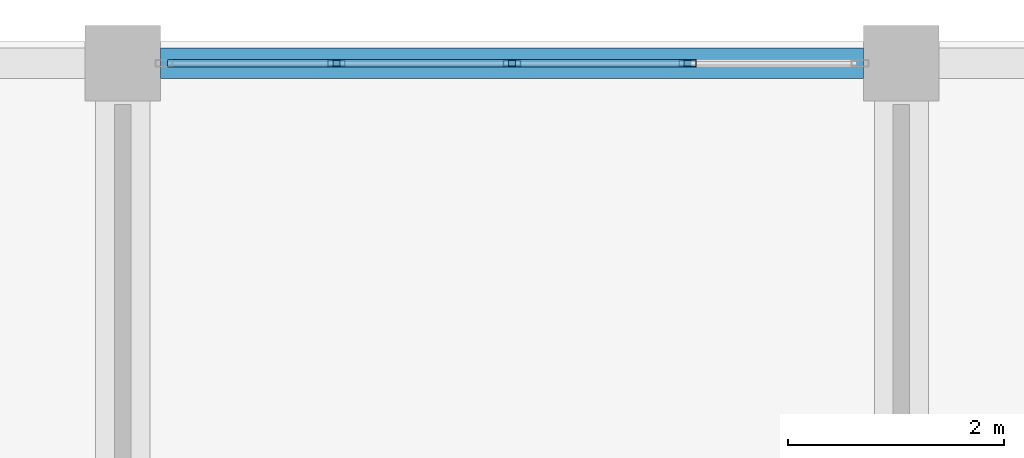
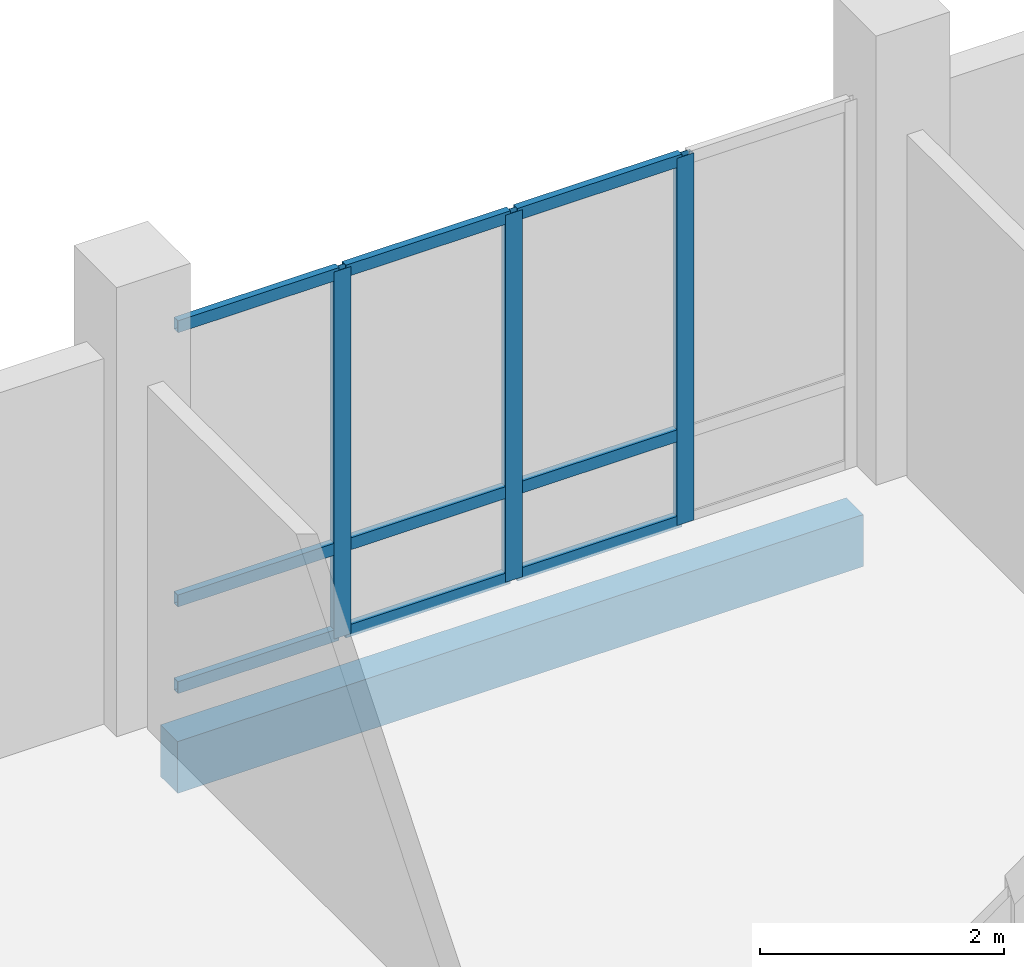
# One storey, part 93 of 139: 12 members, 1 beam, 1 element without a shape of its own.
"""IFC4 building model written with IfcOpenShell, lengths in metres."""

from ifc_helpers import new_model, si_unit, direction, frame, origin, origin_2d, place, context, subcontext, project, spatial, rectangle, hollow_rectangle, extrude, material, material_profile, profile_set, type_object, element, aggregate, save


model = new_model("IFC4")

# Units and contexts
model_context = context("Model", 3, precision=1e-05, world=origin(), true_north=direction((0.0, 1.0)))
body_context = subcontext(model_context, "Body", "Model", "MODEL_VIEW")
ifc_project = project(units=[si_unit("LENGTHUNIT", "METRE"), si_unit("AREAUNIT", "SQUARE_METRE"), si_unit("VOLUMEUNIT", "CUBIC_METRE"), si_unit("PLANEANGLEUNIT", "RADIAN"), si_unit("MASSUNIT", "GRAM", prefix="KILO")], contexts=[model_context])

# Site, building, storey
site_placement = place(None, origin())
site = spatial("IfcSite", under=ifc_project, at=site_placement, CompositionType="ELEMENT")
building_placement = place(site_placement, origin())
building = spatial("IfcBuilding", under=site, at=building_placement, Name="Suanplinth Sawtooth Commons", CompositionType="ELEMENT")
storey_placement = place(building_placement, origin())
storey = spatial("IfcBuildingStorey", under=building, at=storey_placement, Name="L00", CompositionType="ELEMENT", Elevation=0.0)

# Beam
ifc_material_1 = material(Name="Precast concrete C40/50", Category="concrete")
ifc_material_profile_1 = material_profile(ifc_material_1, rectangle(XDim=0.280029296875, YDim=0.52001953125, at=origin_2d()), Name="PC-SP 280x520")
ifc_profile_set_1 = profile_set([ifc_material_profile_1], Name="Precast concrete C40/50")
beam_type = type_object("IfcBeamType", Name="B-08", PredefinedType="SPANDREL", material=ifc_profile_set_1)
beam_placement = place(storey_placement, frame((137.14990234375, 122.39990234375, -0.679931640625), z_axis=(1.0, 0.0, 0.0), x_axis=(0.0, 1.0, 0.0)))
element("IfcBeam", 1, at=beam_placement, inside=storey, type_object=beam_type, Name="BMX-L00-B-19-17", PredefinedType="SPANDREL", context=body_context, shape_type="SweptSolid", body=[
    extrude(rectangle(XDim=0.280029296875, YDim=0.52001953125, at=origin_2d()), origin(), (0.0, 0.0, 1.0), 6.5),
])

# Curtain wall, members
ifc_material_2 = material(Name="Anodized aluminium and low-E glazing", Category="aluminium")
curtain_wall_type = type_object("IfcCurtainWallType", Name="CW-04", PredefinedType="USERDEFINED", material=ifc_material_2)
curtain_wall_placement = place(storey_placement, origin())
curtain_wall = element("IfcCurtainWall", 2, at=curtain_wall_placement, inside=storey, type_object=curtain_wall_type, Name="Curtain Wall CW-L00-B-N-19", ObjectType="CURTAIN WALL", PredefinedType="USERDEFINED")
ifc_material_3 = material(Name="Anodized aluminium 6063-T6", Category="aluminium")
ifc_material_profile_2 = material_profile(ifc_material_3, hollow_rectangle(XDim=0.06494140625, YDim=0.159912109375, WallThickness=0.00390625, at=origin_2d()), Name="ALU-MUL 65x160")
ifc_profile_set_2 = profile_set([ifc_material_profile_2], Name="Anodized aluminium 6063-T6")
member_type_1 = type_object("IfcMemberType", Name="M-13", PredefinedType="MULLION", material=ifc_profile_set_2)
member_1_placement = place(storey_placement, frame((138.77490234375, 122.39990234375, 0.0), z_axis=(0.0, 0.0, 1.0), x_axis=(0.0, 1.0, 0.0)))
member_1 = element("IfcMember", 3, at=member_1_placement, type_object=member_type_1, Name="CW-04 mullion 2", PredefinedType="MULLION", context=body_context, shape_type="SweptSolid", body=[
    extrude(hollow_rectangle(XDim=0.06494140625, YDim=0.159912109375, WallThickness=0.00390625, at=origin_2d()), origin(), (0.0, 0.0, 1.0), 3.679931640625),
])
member_2_placement = place(storey_placement, frame((140.39990234375, 122.39990234375, 0.0), z_axis=(0.0, 0.0, 1.0), x_axis=(0.0, 1.0, 0.0)))
member_2 = element("IfcMember", 4, at=member_2_placement, type_object=member_type_1, Name="CW-04 mullion 3", PredefinedType="MULLION", context=body_context, shape_type="SweptSolid", body=[
    extrude(hollow_rectangle(XDim=0.06494140625, YDim=0.159912109375, WallThickness=0.00390625, at=origin_2d()), origin(), (0.0, 0.0, 1.0), 3.679931640625),
])
member_3_placement = place(storey_placement, frame((142.02490234375, 122.39990234375, 0.0), z_axis=(0.0, 0.0, 1.0), x_axis=(0.0, 1.0, 0.0)))
member_3 = element("IfcMember", 5, at=member_3_placement, type_object=member_type_1, Name="CW-04 mullion 4", PredefinedType="MULLION", context=body_context, shape_type="SweptSolid", body=[
    extrude(hollow_rectangle(XDim=0.06494140625, YDim=0.159912109375, WallThickness=0.00390625, at=origin_2d()), origin(), (0.0, 0.0, 1.0), 3.679931640625),
])
ifc_material_profile_3 = material_profile(ifc_material_3, hollow_rectangle(XDim=0.06494140625, YDim=0.1201171875, WallThickness=0.00390625, at=origin_2d()), Name="ALU-TRN 65x120")
ifc_profile_set_3 = profile_set([ifc_material_profile_3], Name="Anodized aluminium 6063-T6")
member_type_2 = type_object("IfcMemberType", Name="M-15", PredefinedType="USERDEFINED", material=ifc_profile_set_3)
member_4_placement = place(storey_placement, frame((137.215087890625, 122.39990234375, 0.032470703125), z_axis=(1.0, 0.0, 0.0), x_axis=(0.0, 1.0, 0.0)))
member_4 = element("IfcMember", 6, at=member_4_placement, type_object=member_type_2, Name="CW-04 transom 1.1", ObjectType="TRANSOM", PredefinedType="USERDEFINED", context=body_context, shape_type="SweptSolid", body=[
    extrude(hollow_rectangle(XDim=0.06494140625, YDim=0.1201171875, WallThickness=0.00390625, at=origin_2d()), origin(), (0.0, 0.0, 1.0), 1.52734375),
])
member_5_placement = place(storey_placement, frame((137.215087890625, 122.39990234375, 0.89990234375), z_axis=(1.0, 0.0, 0.0), x_axis=(0.0, 1.0, 0.0)))
member_5 = element("IfcMember", 7, at=member_5_placement, type_object=member_type_2, Name="CW-04 transom 1.2", ObjectType="TRANSOM", PredefinedType="USERDEFINED", context=body_context, shape_type="SweptSolid", body=[
    extrude(hollow_rectangle(XDim=0.06494140625, YDim=0.1201171875, WallThickness=0.00390625, at=origin_2d()), origin(), (0.0, 0.0, 1.0), 1.52734375),
])
member_6_placement = place(storey_placement, frame((137.215087890625, 122.39990234375, 3.6474609375), z_axis=(1.0, 0.0, 0.0), x_axis=(0.0, 1.0, 0.0)))
member_6 = element("IfcMember", 8, at=member_6_placement, type_object=member_type_2, Name="CW-04 transom 1.3", ObjectType="TRANSOM", PredefinedType="USERDEFINED", context=body_context, shape_type="SweptSolid", body=[
    extrude(hollow_rectangle(XDim=0.06494140625, YDim=0.1201171875, WallThickness=0.00390625, at=origin_2d()), origin(), (0.0, 0.0, 1.0), 1.52734375),
])
member_7_placement = place(storey_placement, frame((138.8076171875, 122.39990234375, 0.032470703125), z_axis=(1.0, 0.0, 0.0), x_axis=(0.0, 1.0, 0.0)))
member_7 = element("IfcMember", 9, at=member_7_placement, type_object=member_type_2, Name="CW-04 transom 2.1", ObjectType="TRANSOM", PredefinedType="USERDEFINED", context=body_context, shape_type="SweptSolid", body=[
    extrude(hollow_rectangle(XDim=0.06494140625, YDim=0.1201171875, WallThickness=0.00390625, at=origin_2d()), origin(), (0.0, 0.0, 1.0), 1.559814453125),
])
member_8_placement = place(storey_placement, frame((138.8076171875, 122.39990234375, 0.89990234375), z_axis=(1.0, 0.0, 0.0), x_axis=(0.0, 1.0, 0.0)))
member_8 = element("IfcMember", 10, at=member_8_placement, type_object=member_type_2, Name="CW-04 transom 2.2", ObjectType="TRANSOM", PredefinedType="USERDEFINED", context=body_context, shape_type="SweptSolid", body=[
    extrude(hollow_rectangle(XDim=0.06494140625, YDim=0.1201171875, WallThickness=0.00390625, at=origin_2d()), origin(), (0.0, 0.0, 1.0), 1.559814453125),
])
member_9_placement = place(storey_placement, frame((138.8076171875, 122.39990234375, 3.6474609375), z_axis=(1.0, 0.0, 0.0), x_axis=(0.0, 1.0, 0.0)))
member_9 = element("IfcMember", 11, at=member_9_placement, type_object=member_type_2, Name="CW-04 transom 2.3", ObjectType="TRANSOM", PredefinedType="USERDEFINED", context=body_context, shape_type="SweptSolid", body=[
    extrude(hollow_rectangle(XDim=0.06494140625, YDim=0.1201171875, WallThickness=0.00390625, at=origin_2d()), origin(), (0.0, 0.0, 1.0), 1.559814453125),
])
member_10_placement = place(storey_placement, frame((140.4326171875, 122.39990234375, 0.032470703125), z_axis=(1.0, 0.0, 0.0), x_axis=(0.0, 1.0, 0.0)))
member_10 = element("IfcMember", 12, at=member_10_placement, type_object=member_type_2, Name="CW-04 transom 3.1", ObjectType="TRANSOM", PredefinedType="USERDEFINED", context=body_context, shape_type="SweptSolid", body=[
    extrude(hollow_rectangle(XDim=0.06494140625, YDim=0.1201171875, WallThickness=0.00390625, at=origin_2d()), origin(), (0.0, 0.0, 1.0), 1.559814453125),
])
member_11_placement = place(storey_placement, frame((140.4326171875, 122.39990234375, 0.89990234375), z_axis=(1.0, 0.0, 0.0), x_axis=(0.0, 1.0, 0.0)))
member_11 = element("IfcMember", 13, at=member_11_placement, type_object=member_type_2, Name="CW-04 transom 3.2", ObjectType="TRANSOM", PredefinedType="USERDEFINED", context=body_context, shape_type="SweptSolid", body=[
    extrude(hollow_rectangle(XDim=0.06494140625, YDim=0.1201171875, WallThickness=0.00390625, at=origin_2d()), origin(), (0.0, 0.0, 1.0), 1.559814453125),
])
member_12_placement = place(storey_placement, frame((140.4326171875, 122.39990234375, 3.6474609375), z_axis=(1.0, 0.0, 0.0), x_axis=(0.0, 1.0, 0.0)))
member_12 = element("IfcMember", 14, at=member_12_placement, type_object=member_type_2, Name="CW-04 transom 3.3", ObjectType="TRANSOM", PredefinedType="USERDEFINED", context=body_context, shape_type="SweptSolid", body=[
    extrude(hollow_rectangle(XDim=0.06494140625, YDim=0.1201171875, WallThickness=0.00390625, at=origin_2d()), origin(), (0.0, 0.0, 1.0), 1.559814453125),
])
aggregate(curtain_wall, [member_1, member_2, member_3, member_4, member_5, member_6, member_7, member_8, member_9, member_10, member_11, member_12])

save(model, "model.ifc")
